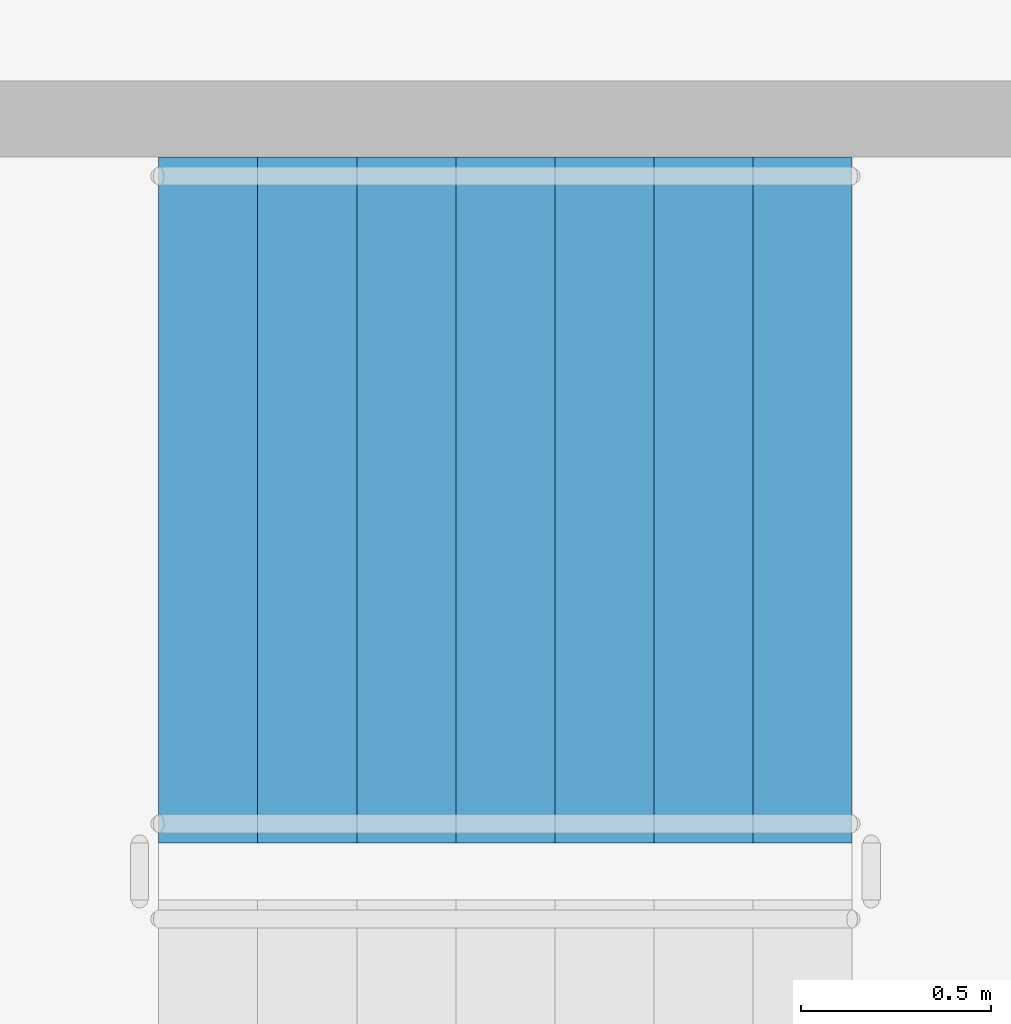
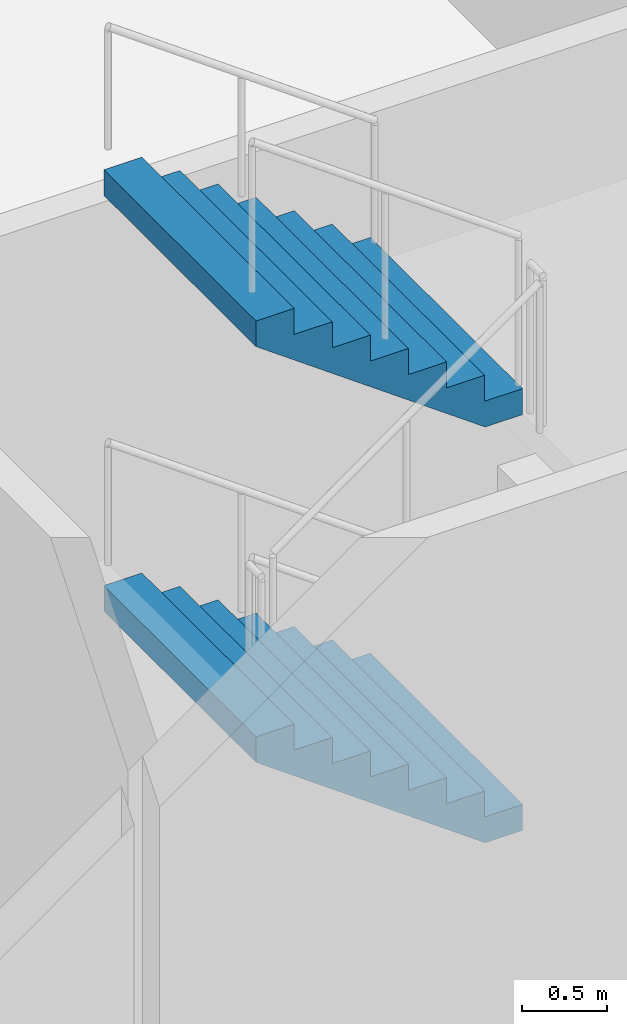
# One storey, part 50 of 75: 2 stair flights, 1 element without a shape of its own.
"""IFC4 building model written with IfcOpenShell, lengths in metres."""

from ifc_helpers import new_model, si_unit, direction, frame, origin, place, context, subcontext, project, spatial, faceted_brep, material, type_object, element, aggregate, save


model = new_model("IFC4")

# Units and contexts
model_context = context("Model", 3, precision=1e-05, world=origin(), true_north=direction((0.0, 1.0)))
body_context = subcontext(model_context, "Body", "Model", "MODEL_VIEW")
ifc_project = project(units=[si_unit("LENGTHUNIT", "METRE"), si_unit("AREAUNIT", "SQUARE_METRE"), si_unit("VOLUMEUNIT", "CUBIC_METRE"), si_unit("PLANEANGLEUNIT", "RADIAN"), si_unit("MASSUNIT", "GRAM", prefix="KILO")], contexts=[model_context])

# Site, building, storey
site_placement = place(None, origin())
site = spatial("IfcSite", under=ifc_project, at=site_placement, CompositionType="ELEMENT")
building_placement = place(site_placement, origin())
building = spatial("IfcBuilding", under=site, at=building_placement, Name="Ipe Terrace Towers", CompositionType="ELEMENT")
storey_placement = place(building_placement, origin())
storey = spatial("IfcBuildingStorey", under=building, at=storey_placement, Name="L00", CompositionType="ELEMENT", Elevation=0.0)

# Stair, stair flights
ifc_material_1 = material(Name="Concrete C30/37", Category="concrete")
stair_type = type_object("IfcStairType", Name="Protected exit stair", PredefinedType="HALF_TURN_STAIR", material=ifc_material_1)
stair_placement = place(storey_placement, origin())
stair = element("IfcStair", 1, at=stair_placement, inside=storey, type_object=stair_type, Name="L00 Podium exit stair PS5", PredefinedType="HALF_TURN_STAIR")
ifc_material_2 = material(Name="Concrete C30/37", Category="concrete")
stair_flight_type = type_object("IfcStairFlightType", Name="Exit stair flight 1800", PredefinedType="STRAIGHT", material=ifc_material_2)
stair_flight_1_placement = place(storey_placement, frame((-1.929931640625, -20.550048828125, 1.5), z_axis=(0.0, 0.0, 1.0), x_axis=(-1.0, 0.0, 0.0)))
stair_flight_1 = element("IfcStairFlight", 2, at=stair_flight_1_placement, type_object=stair_flight_type, Name="PS5 flight 2", NumberOfRisers=8, NumberOfTreads=7, PredefinedType="STRAIGHT", RiserHeight=0.1875, TreadLength=0.26, context=body_context, shape_type="Brep", body=[
    faceted_brep([(0.25634765625, -0.89990234375, 0.0), (1.820068359375, -0.89990234375, 1.127685546875), (1.820068359375, -0.89990234375, 1.3125), (1.56005859375, -0.89990234375, 1.3125), (1.56005859375, -0.89990234375, 1.125), (1.300048828125, -0.89990234375, 1.125), (1.300048828125, -0.89990234375, 0.9375), (1.0400390625, -0.89990234375, 0.9375), (1.0400390625, -0.89990234375, 0.75), (0.780029296875, -0.89990234375, 0.75), (0.780029296875, -0.89990234375, 0.5625), (0.52001953125, -0.89990234375, 0.5625), (0.52001953125, -0.89990234375, 0.375), (0.260009765625, -0.89990234375, 0.375), (0.260009765625, -0.89990234375, 0.1875), (0.0, -0.89990234375, 0.1875), (0.0, -0.89990234375, 0.0), (0.0, 0.89990234375, 0.0), (0.0, 0.89990234375, 0.1875), (0.260009765625, 0.89990234375, 0.1875), (0.260009765625, 0.89990234375, 0.375), (0.52001953125, 0.89990234375, 0.375), (0.52001953125, 0.89990234375, 0.5625), (0.780029296875, 0.89990234375, 0.5625), (0.780029296875, 0.89990234375, 0.75), (1.0400390625, 0.89990234375, 0.75), (1.0400390625, 0.89990234375, 0.9375), (1.300048828125, 0.89990234375, 0.9375), (1.300048828125, 0.89990234375, 1.125), (1.56005859375, 0.89990234375, 1.125), (1.56005859375, 0.89990234375, 1.3125), (1.820068359375, 0.89990234375, 1.3125), (1.820068359375, 0.89990234375, 1.127685546875), (0.25634765625, 0.89990234375, 0.0), (0.0, -0.300048828125, 0.1875), (0.0, -0.1201171875, 0.1875), (0.0, -0.06005859375, 0.1875), (0.0, -0.030029296875, 0.1875), (0.0, -0.010009765625, 0.1875), (0.0, 0.0, 0.1875), (0.0, 0.010009765625, 0.1875), (0.0, 0.030029296875, 0.1875), (0.0, 0.06005859375, 0.1875), (0.0, 0.1201171875, 0.1875), (0.0, 0.300048828125, 0.1875), (0.0, 0.300048828125, 0.0), (0.0, 0.1201171875, 0.0), (0.0, 0.06005859375, 0.0), (0.0, 0.030029296875, 0.0), (0.0, 0.010009765625, 0.0), (0.0, 0.0, 0.0), (0.0, -0.010009765625, 0.0), (0.0, -0.030029296875, 0.0), (0.0, -0.06005859375, 0.0), (0.0, -0.1201171875, 0.0), (0.0, -0.300048828125, 0.0), (0.260009765625, -0.300048828125, 0.1875), (0.260009765625, -0.1201171875, 0.1875), (0.260009765625, -0.06005859375, 0.1875), (0.260009765625, -0.030029296875, 0.1875), (0.260009765625, -0.010009765625, 0.1875), (0.260009765625, 0.0, 0.1875), (0.260009765625, 0.010009765625, 0.1875), (0.260009765625, 0.030029296875, 0.1875), (0.260009765625, 0.06005859375, 0.1875), (0.260009765625, 0.1201171875, 0.1875), (0.260009765625, 0.300048828125, 0.1875), (0.260009765625, -0.300048828125, 0.375), (0.260009765625, -0.1201171875, 0.375), (0.260009765625, -0.06005859375, 0.375), (0.260009765625, -0.030029296875, 0.375), (0.260009765625, -0.010009765625, 0.375), (0.260009765625, 0.0, 0.375), (0.260009765625, 0.010009765625, 0.375), (0.260009765625, 0.030029296875, 0.375), (0.260009765625, 0.06005859375, 0.375), (0.260009765625, 0.1201171875, 0.375), (0.260009765625, 0.300048828125, 0.375), (0.52001953125, -0.300048828125, 0.375), (0.52001953125, -0.1201171875, 0.375), (0.52001953125, -0.06005859375, 0.375), (0.52001953125, -0.030029296875, 0.375), (0.52001953125, -0.010009765625, 0.375), (0.52001953125, 0.0, 0.375), (0.52001953125, 0.010009765625, 0.375), (0.52001953125, 0.030029296875, 0.375), (0.52001953125, 0.06005859375, 0.375), (0.52001953125, 0.1201171875, 0.375), (0.52001953125, 0.300048828125, 0.375), (0.52001953125, -0.300048828125, 0.5625), (0.52001953125, -0.1201171875, 0.5625), (0.52001953125, -0.06005859375, 0.5625), (0.52001953125, -0.030029296875, 0.5625), (0.52001953125, -0.010009765625, 0.5625), (0.52001953125, 0.0, 0.5625), (0.52001953125, 0.010009765625, 0.5625), (0.52001953125, 0.030029296875, 0.5625), (0.52001953125, 0.06005859375, 0.5625), (0.52001953125, 0.1201171875, 0.5625), (0.52001953125, 0.300048828125, 0.5625), (0.780029296875, -0.300048828125, 0.5625), (0.780029296875, -0.1201171875, 0.5625), (0.780029296875, -0.06005859375, 0.5625), (0.780029296875, -0.030029296875, 0.5625), (0.780029296875, -0.010009765625, 0.5625), (0.780029296875, 0.0, 0.5625), (0.780029296875, 0.010009765625, 0.5625), (0.780029296875, 0.030029296875, 0.5625), (0.780029296875, 0.06005859375, 0.5625), (0.780029296875, 0.1201171875, 0.5625), (0.780029296875, 0.300048828125, 0.5625), (0.780029296875, -0.300048828125, 0.75), (0.780029296875, -0.1201171875, 0.75), (0.780029296875, -0.06005859375, 0.75), (0.780029296875, -0.030029296875, 0.75), (0.780029296875, -0.010009765625, 0.75), (0.780029296875, 0.0, 0.75), (0.780029296875, 0.010009765625, 0.75), (0.780029296875, 0.030029296875, 0.75), (0.780029296875, 0.06005859375, 0.75), (0.780029296875, 0.1201171875, 0.75), (0.780029296875, 0.300048828125, 0.75), (1.0400390625, -0.300048828125, 0.75), (1.0400390625, -0.1201171875, 0.75), (1.0400390625, -0.06005859375, 0.75), (1.0400390625, -0.030029296875, 0.75), (1.0400390625, -0.010009765625, 0.75), (1.0400390625, 0.0, 0.75), (1.0400390625, 0.010009765625, 0.75), (1.0400390625, 0.030029296875, 0.75), (1.0400390625, 0.06005859375, 0.75), (1.0400390625, 0.1201171875, 0.75), (1.0400390625, 0.300048828125, 0.75), (1.0400390625, -0.300048828125, 0.9375), (1.0400390625, -0.1201171875, 0.9375), (1.0400390625, -0.06005859375, 0.9375), (1.0400390625, -0.030029296875, 0.9375), (1.0400390625, -0.010009765625, 0.9375), (1.0400390625, 0.0, 0.9375), (1.0400390625, 0.010009765625, 0.9375), (1.0400390625, 0.030029296875, 0.9375), (1.0400390625, 0.06005859375, 0.9375), (1.0400390625, 0.1201171875, 0.9375), (1.0400390625, 0.300048828125, 0.9375), (1.300048828125, -0.300048828125, 0.9375), (1.300048828125, -0.1201171875, 0.9375), (1.300048828125, -0.06005859375, 0.9375), (1.300048828125, -0.030029296875, 0.9375), (1.300048828125, -0.010009765625, 0.9375), (1.300048828125, 0.0, 0.9375), (1.300048828125, 0.010009765625, 0.9375), (1.300048828125, 0.030029296875, 0.9375), (1.300048828125, 0.06005859375, 0.9375), (1.300048828125, 0.1201171875, 0.9375), (1.300048828125, 0.300048828125, 0.9375), (1.300048828125, -0.300048828125, 1.125), (1.300048828125, -0.1201171875, 1.125), (1.300048828125, -0.06005859375, 1.125), (1.300048828125, -0.030029296875, 1.125), (1.300048828125, -0.010009765625, 1.125), (1.300048828125, 0.0, 1.125), (1.300048828125, 0.010009765625, 1.125), (1.300048828125, 0.030029296875, 1.125), (1.300048828125, 0.06005859375, 1.125), (1.300048828125, 0.1201171875, 1.125), (1.300048828125, 0.300048828125, 1.125), (1.56005859375, -0.300048828125, 1.125), (1.56005859375, -0.1201171875, 1.125), (1.56005859375, -0.06005859375, 1.125), (1.56005859375, -0.030029296875, 1.125), (1.56005859375, -0.010009765625, 1.125), (1.56005859375, 0.0, 1.125), (1.56005859375, 0.010009765625, 1.125), (1.56005859375, 0.030029296875, 1.125), (1.56005859375, 0.06005859375, 1.125), (1.56005859375, 0.1201171875, 1.125), (1.56005859375, 0.300048828125, 1.125), (1.56005859375, -0.300048828125, 1.3125), (1.56005859375, -0.1201171875, 1.3125), (1.56005859375, -0.06005859375, 1.3125), (1.56005859375, -0.030029296875, 1.3125), (1.56005859375, -0.010009765625, 1.3125), (1.56005859375, 0.0, 1.3125), (1.56005859375, 0.010009765625, 1.3125), (1.56005859375, 0.030029296875, 1.3125), (1.56005859375, 0.06005859375, 1.3125), (1.56005859375, 0.1201171875, 1.3125), (1.56005859375, 0.300048828125, 1.3125), (1.820068359375, -0.300048828125, 1.3125), (1.820068359375, -0.1201171875, 1.3125), (1.820068359375, -0.06005859375, 1.3125), (1.820068359375, -0.030029296875, 1.3125), (1.820068359375, -0.010009765625, 1.3125), (1.820068359375, 0.0, 1.3125), (1.820068359375, 0.010009765625, 1.3125), (1.820068359375, 0.030029296875, 1.3125), (1.820068359375, 0.06005859375, 1.3125), (1.820068359375, 0.1201171875, 1.3125), (1.820068359375, 0.300048828125, 1.3125), (1.820068359375, -0.300048828125, 1.127685546875), (1.820068359375, -0.1201171875, 1.127685546875), (1.820068359375, -0.06005859375, 1.127685546875), (1.820068359375, -0.030029296875, 1.127685546875), (1.820068359375, -0.010009765625, 1.127685546875), (1.820068359375, 0.0, 1.127685546875), (1.820068359375, 0.010009765625, 1.127685546875), (1.820068359375, 0.030029296875, 1.127685546875), (1.820068359375, 0.06005859375, 1.127685546875), (1.820068359375, 0.1201171875, 1.127685546875), (1.820068359375, 0.300048828125, 1.127685546875), (0.25634765625, -0.300048828125, 0.0), (0.25634765625, -0.1201171875, 0.0), (0.25634765625, -0.06005859375, 0.0), (0.25634765625, -0.030029296875, 0.0), (0.25634765625, -0.010009765625, 0.0), (0.25634765625, 0.0, 0.0), (0.25634765625, 0.010009765625, 0.0), (0.25634765625, 0.030029296875, 0.0), (0.25634765625, 0.06005859375, 0.0), (0.25634765625, 0.1201171875, 0.0), (0.25634765625, 0.300048828125, 0.0)], [[[0, 1, 2, 3, 4, 5, 6, 7, 8, 9, 10, 11, 12, 13, 14, 15, 16]], [[17, 18, 19, 20, 21, 22, 23, 24, 25, 26, 27, 28, 29, 30, 31, 32, 33]], [[15, 34, 35, 36, 37, 38, 39, 40, 41, 42, 43, 44, 18, 17, 45, 46, 47, 48, 49, 50, 51, 52, 53, 54, 55, 16]], [[14, 56, 57, 58, 59, 60, 61, 62, 63, 64, 65, 66, 19, 18, 44, 43, 42, 41, 40, 39, 38, 37, 36, 35, 34, 15]], [[13, 67, 68, 69, 70, 71, 72, 73, 74, 75, 76, 77, 20, 19, 66, 65, 64, 63, 62, 61, 60, 59, 58, 57, 56, 14]], [[12, 78, 79, 80, 81, 82, 83, 84, 85, 86, 87, 88, 21, 20, 77, 76, 75, 74, 73, 72, 71, 70, 69, 68, 67, 13]], [[11, 89, 90, 91, 92, 93, 94, 95, 96, 97, 98, 99, 22, 21, 88, 87, 86, 85, 84, 83, 82, 81, 80, 79, 78, 12]], [[10, 100, 101, 102, 103, 104, 105, 106, 107, 108, 109, 110, 23, 22, 99, 98, 97, 96, 95, 94, 93, 92, 91, 90, 89, 11]], [[9, 111, 112, 113, 114, 115, 116, 117, 118, 119, 120, 121, 24, 23, 110, 109, 108, 107, 106, 105, 104, 103, 102, 101, 100, 10]], [[8, 122, 123, 124, 125, 126, 127, 128, 129, 130, 131, 132, 25, 24, 121, 120, 119, 118, 117, 116, 115, 114, 113, 112, 111, 9]], [[7, 133, 134, 135, 136, 137, 138, 139, 140, 141, 142, 143, 26, 25, 132, 131, 130, 129, 128, 127, 126, 125, 124, 123, 122, 8]], [[6, 144, 145, 146, 147, 148, 149, 150, 151, 152, 153, 154, 27, 26, 143, 142, 141, 140, 139, 138, 137, 136, 135, 134, 133, 7]], [[5, 155, 156, 157, 158, 159, 160, 161, 162, 163, 164, 165, 28, 27, 154, 153, 152, 151, 150, 149, 148, 147, 146, 145, 144, 6]], [[4, 166, 167, 168, 169, 170, 171, 172, 173, 174, 175, 176, 29, 28, 165, 164, 163, 162, 161, 160, 159, 158, 157, 156, 155, 5]], [[3, 177, 178, 179, 180, 181, 182, 183, 184, 185, 186, 187, 30, 29, 176, 175, 174, 173, 172, 171, 170, 169, 168, 167, 166, 4]], [[2, 188, 189, 190, 191, 192, 193, 194, 195, 196, 197, 198, 31, 30, 187, 186, 185, 184, 183, 182, 181, 180, 179, 178, 177, 3]], [[1, 199, 200, 201, 202, 203, 204, 205, 206, 207, 208, 209, 32, 31, 198, 197, 196, 195, 194, 193, 192, 191, 190, 189, 188, 2]], [[0, 210, 211, 212, 213, 214, 215, 216, 217, 218, 219, 220, 33, 32, 209, 208, 207, 206, 205, 204, 203, 202, 201, 200, 199, 1]], [[16, 55, 54, 53, 52, 51, 50, 49, 48, 47, 46, 45, 17, 33, 220, 219, 218, 217, 216, 215, 214, 213, 212, 211, 210, 0]]]),
])
stair_flight_2_placement = place(storey_placement, frame((-1.929931640625, -20.550048828125, 4.5), z_axis=(0.0, 0.0, 1.0), x_axis=(-1.0, 0.0, 0.0)))
stair_flight_2 = element("IfcStairFlight", 3, at=stair_flight_2_placement, type_object=stair_flight_type, Name="PS5 flight 4", NumberOfRisers=8, NumberOfTreads=7, PredefinedType="STRAIGHT", RiserHeight=0.1875, TreadLength=0.26, context=body_context, shape_type="Brep", body=[
    faceted_brep([(0.25634765625, -0.89990234375, 0.0), (1.820068359375, -0.89990234375, 1.127685546875), (1.820068359375, -0.89990234375, 1.3125), (1.56005859375, -0.89990234375, 1.3125), (1.56005859375, -0.89990234375, 1.125), (1.300048828125, -0.89990234375, 1.125), (1.300048828125, -0.89990234375, 0.9375), (1.0400390625, -0.89990234375, 0.9375), (1.0400390625, -0.89990234375, 0.75), (0.780029296875, -0.89990234375, 0.75), (0.780029296875, -0.89990234375, 0.5625), (0.52001953125, -0.89990234375, 0.5625), (0.52001953125, -0.89990234375, 0.375), (0.260009765625, -0.89990234375, 0.375), (0.260009765625, -0.89990234375, 0.1875), (0.0, -0.89990234375, 0.1875), (0.0, -0.89990234375, 0.0), (0.0, 0.89990234375, 0.0), (0.0, 0.89990234375, 0.1875), (0.260009765625, 0.89990234375, 0.1875), (0.260009765625, 0.89990234375, 0.375), (0.52001953125, 0.89990234375, 0.375), (0.52001953125, 0.89990234375, 0.5625), (0.780029296875, 0.89990234375, 0.5625), (0.780029296875, 0.89990234375, 0.75), (1.0400390625, 0.89990234375, 0.75), (1.0400390625, 0.89990234375, 0.9375), (1.300048828125, 0.89990234375, 0.9375), (1.300048828125, 0.89990234375, 1.125), (1.56005859375, 0.89990234375, 1.125), (1.56005859375, 0.89990234375, 1.3125), (1.820068359375, 0.89990234375, 1.3125), (1.820068359375, 0.89990234375, 1.127685546875), (0.25634765625, 0.89990234375, 0.0), (0.0, -0.300048828125, 0.1875), (0.0, -0.1201171875, 0.1875), (0.0, -0.06005859375, 0.1875), (0.0, -0.030029296875, 0.1875), (0.0, -0.010009765625, 0.1875), (0.0, 0.0, 0.1875), (0.0, 0.010009765625, 0.1875), (0.0, 0.030029296875, 0.1875), (0.0, 0.06005859375, 0.1875), (0.0, 0.1201171875, 0.1875), (0.0, 0.300048828125, 0.1875), (0.0, 0.300048828125, 0.0), (0.0, 0.1201171875, 0.0), (0.0, 0.06005859375, 0.0), (0.0, 0.030029296875, 0.0), (0.0, 0.010009765625, 0.0), (0.0, 0.0, 0.0), (0.0, -0.010009765625, 0.0), (0.0, -0.030029296875, 0.0), (0.0, -0.06005859375, 0.0), (0.0, -0.1201171875, 0.0), (0.0, -0.300048828125, 0.0), (0.260009765625, -0.300048828125, 0.1875), (0.260009765625, -0.1201171875, 0.1875), (0.260009765625, -0.06005859375, 0.1875), (0.260009765625, -0.030029296875, 0.1875), (0.260009765625, -0.010009765625, 0.1875), (0.260009765625, 0.0, 0.1875), (0.260009765625, 0.010009765625, 0.1875), (0.260009765625, 0.030029296875, 0.1875), (0.260009765625, 0.06005859375, 0.1875), (0.260009765625, 0.1201171875, 0.1875), (0.260009765625, 0.300048828125, 0.1875), (0.260009765625, -0.300048828125, 0.375), (0.260009765625, -0.1201171875, 0.375), (0.260009765625, -0.06005859375, 0.375), (0.260009765625, -0.030029296875, 0.375), (0.260009765625, -0.010009765625, 0.375), (0.260009765625, 0.0, 0.375), (0.260009765625, 0.010009765625, 0.375), (0.260009765625, 0.030029296875, 0.375), (0.260009765625, 0.06005859375, 0.375), (0.260009765625, 0.1201171875, 0.375), (0.260009765625, 0.300048828125, 0.375), (0.52001953125, -0.300048828125, 0.375), (0.52001953125, -0.1201171875, 0.375), (0.52001953125, -0.06005859375, 0.375), (0.52001953125, -0.030029296875, 0.375), (0.52001953125, -0.010009765625, 0.375), (0.52001953125, 0.0, 0.375), (0.52001953125, 0.010009765625, 0.375), (0.52001953125, 0.030029296875, 0.375), (0.52001953125, 0.06005859375, 0.375), (0.52001953125, 0.1201171875, 0.375), (0.52001953125, 0.300048828125, 0.375), (0.52001953125, -0.300048828125, 0.5625), (0.52001953125, -0.1201171875, 0.5625), (0.52001953125, -0.06005859375, 0.5625), (0.52001953125, -0.030029296875, 0.5625), (0.52001953125, -0.010009765625, 0.5625), (0.52001953125, 0.0, 0.5625), (0.52001953125, 0.010009765625, 0.5625), (0.52001953125, 0.030029296875, 0.5625), (0.52001953125, 0.06005859375, 0.5625), (0.52001953125, 0.1201171875, 0.5625), (0.52001953125, 0.300048828125, 0.5625), (0.780029296875, -0.300048828125, 0.5625), (0.780029296875, -0.1201171875, 0.5625), (0.780029296875, -0.06005859375, 0.5625), (0.780029296875, -0.030029296875, 0.5625), (0.780029296875, -0.010009765625, 0.5625), (0.780029296875, 0.0, 0.5625), (0.780029296875, 0.010009765625, 0.5625), (0.780029296875, 0.030029296875, 0.5625), (0.780029296875, 0.06005859375, 0.5625), (0.780029296875, 0.1201171875, 0.5625), (0.780029296875, 0.300048828125, 0.5625), (0.780029296875, -0.300048828125, 0.75), (0.780029296875, -0.1201171875, 0.75), (0.780029296875, -0.06005859375, 0.75), (0.780029296875, -0.030029296875, 0.75), (0.780029296875, -0.010009765625, 0.75), (0.780029296875, 0.0, 0.75), (0.780029296875, 0.010009765625, 0.75), (0.780029296875, 0.030029296875, 0.75), (0.780029296875, 0.06005859375, 0.75), (0.780029296875, 0.1201171875, 0.75), (0.780029296875, 0.300048828125, 0.75), (1.0400390625, -0.300048828125, 0.75), (1.0400390625, -0.1201171875, 0.75), (1.0400390625, -0.06005859375, 0.75), (1.0400390625, -0.030029296875, 0.75), (1.0400390625, -0.010009765625, 0.75), (1.0400390625, 0.0, 0.75), (1.0400390625, 0.010009765625, 0.75), (1.0400390625, 0.030029296875, 0.75), (1.0400390625, 0.06005859375, 0.75), (1.0400390625, 0.1201171875, 0.75), (1.0400390625, 0.300048828125, 0.75), (1.0400390625, -0.300048828125, 0.9375), (1.0400390625, -0.1201171875, 0.9375), (1.0400390625, -0.06005859375, 0.9375), (1.0400390625, -0.030029296875, 0.9375), (1.0400390625, -0.010009765625, 0.9375), (1.0400390625, 0.0, 0.9375), (1.0400390625, 0.010009765625, 0.9375), (1.0400390625, 0.030029296875, 0.9375), (1.0400390625, 0.06005859375, 0.9375), (1.0400390625, 0.1201171875, 0.9375), (1.0400390625, 0.300048828125, 0.9375), (1.300048828125, -0.300048828125, 0.9375), (1.300048828125, -0.1201171875, 0.9375), (1.300048828125, -0.06005859375, 0.9375), (1.300048828125, -0.030029296875, 0.9375), (1.300048828125, -0.010009765625, 0.9375), (1.300048828125, 0.0, 0.9375), (1.300048828125, 0.010009765625, 0.9375), (1.300048828125, 0.030029296875, 0.9375), (1.300048828125, 0.06005859375, 0.9375), (1.300048828125, 0.1201171875, 0.9375), (1.300048828125, 0.300048828125, 0.9375), (1.300048828125, -0.300048828125, 1.125), (1.300048828125, -0.1201171875, 1.125), (1.300048828125, -0.06005859375, 1.125), (1.300048828125, -0.030029296875, 1.125), (1.300048828125, -0.010009765625, 1.125), (1.300048828125, 0.0, 1.125), (1.300048828125, 0.010009765625, 1.125), (1.300048828125, 0.030029296875, 1.125), (1.300048828125, 0.06005859375, 1.125), (1.300048828125, 0.1201171875, 1.125), (1.300048828125, 0.300048828125, 1.125), (1.56005859375, -0.300048828125, 1.125), (1.56005859375, -0.1201171875, 1.125), (1.56005859375, -0.06005859375, 1.125), (1.56005859375, -0.030029296875, 1.125), (1.56005859375, -0.010009765625, 1.125), (1.56005859375, 0.0, 1.125), (1.56005859375, 0.010009765625, 1.125), (1.56005859375, 0.030029296875, 1.125), (1.56005859375, 0.06005859375, 1.125), (1.56005859375, 0.1201171875, 1.125), (1.56005859375, 0.300048828125, 1.125), (1.56005859375, -0.300048828125, 1.3125), (1.56005859375, -0.1201171875, 1.3125), (1.56005859375, -0.06005859375, 1.3125), (1.56005859375, -0.030029296875, 1.3125), (1.56005859375, -0.010009765625, 1.3125), (1.56005859375, 0.0, 1.3125), (1.56005859375, 0.010009765625, 1.3125), (1.56005859375, 0.030029296875, 1.3125), (1.56005859375, 0.06005859375, 1.3125), (1.56005859375, 0.1201171875, 1.3125), (1.56005859375, 0.300048828125, 1.3125), (1.820068359375, -0.300048828125, 1.3125), (1.820068359375, -0.1201171875, 1.3125), (1.820068359375, -0.06005859375, 1.3125), (1.820068359375, -0.030029296875, 1.3125), (1.820068359375, -0.010009765625, 1.3125), (1.820068359375, 0.0, 1.3125), (1.820068359375, 0.010009765625, 1.3125), (1.820068359375, 0.030029296875, 1.3125), (1.820068359375, 0.06005859375, 1.3125), (1.820068359375, 0.1201171875, 1.3125), (1.820068359375, 0.300048828125, 1.3125), (1.820068359375, -0.300048828125, 1.127685546875), (1.820068359375, -0.1201171875, 1.127685546875), (1.820068359375, -0.06005859375, 1.127685546875), (1.820068359375, -0.030029296875, 1.127685546875), (1.820068359375, -0.010009765625, 1.127685546875), (1.820068359375, 0.0, 1.127685546875), (1.820068359375, 0.010009765625, 1.127685546875), (1.820068359375, 0.030029296875, 1.127685546875), (1.820068359375, 0.06005859375, 1.127685546875), (1.820068359375, 0.1201171875, 1.127685546875), (1.820068359375, 0.300048828125, 1.127685546875), (0.25634765625, -0.300048828125, 0.0), (0.25634765625, -0.1201171875, 0.0), (0.25634765625, -0.06005859375, 0.0), (0.25634765625, -0.030029296875, 0.0), (0.25634765625, -0.010009765625, 0.0), (0.25634765625, 0.0, 0.0), (0.25634765625, 0.010009765625, 0.0), (0.25634765625, 0.030029296875, 0.0), (0.25634765625, 0.06005859375, 0.0), (0.25634765625, 0.1201171875, 0.0), (0.25634765625, 0.300048828125, 0.0)], [[[0, 1, 2, 3, 4, 5, 6, 7, 8, 9, 10, 11, 12, 13, 14, 15, 16]], [[17, 18, 19, 20, 21, 22, 23, 24, 25, 26, 27, 28, 29, 30, 31, 32, 33]], [[15, 34, 35, 36, 37, 38, 39, 40, 41, 42, 43, 44, 18, 17, 45, 46, 47, 48, 49, 50, 51, 52, 53, 54, 55, 16]], [[14, 56, 57, 58, 59, 60, 61, 62, 63, 64, 65, 66, 19, 18, 44, 43, 42, 41, 40, 39, 38, 37, 36, 35, 34, 15]], [[13, 67, 68, 69, 70, 71, 72, 73, 74, 75, 76, 77, 20, 19, 66, 65, 64, 63, 62, 61, 60, 59, 58, 57, 56, 14]], [[12, 78, 79, 80, 81, 82, 83, 84, 85, 86, 87, 88, 21, 20, 77, 76, 75, 74, 73, 72, 71, 70, 69, 68, 67, 13]], [[11, 89, 90, 91, 92, 93, 94, 95, 96, 97, 98, 99, 22, 21, 88, 87, 86, 85, 84, 83, 82, 81, 80, 79, 78, 12]], [[10, 100, 101, 102, 103, 104, 105, 106, 107, 108, 109, 110, 23, 22, 99, 98, 97, 96, 95, 94, 93, 92, 91, 90, 89, 11]], [[9, 111, 112, 113, 114, 115, 116, 117, 118, 119, 120, 121, 24, 23, 110, 109, 108, 107, 106, 105, 104, 103, 102, 101, 100, 10]], [[8, 122, 123, 124, 125, 126, 127, 128, 129, 130, 131, 132, 25, 24, 121, 120, 119, 118, 117, 116, 115, 114, 113, 112, 111, 9]], [[7, 133, 134, 135, 136, 137, 138, 139, 140, 141, 142, 143, 26, 25, 132, 131, 130, 129, 128, 127, 126, 125, 124, 123, 122, 8]], [[6, 144, 145, 146, 147, 148, 149, 150, 151, 152, 153, 154, 27, 26, 143, 142, 141, 140, 139, 138, 137, 136, 135, 134, 133, 7]], [[5, 155, 156, 157, 158, 159, 160, 161, 162, 163, 164, 165, 28, 27, 154, 153, 152, 151, 150, 149, 148, 147, 146, 145, 144, 6]], [[4, 166, 167, 168, 169, 170, 171, 172, 173, 174, 175, 176, 29, 28, 165, 164, 163, 162, 161, 160, 159, 158, 157, 156, 155, 5]], [[3, 177, 178, 179, 180, 181, 182, 183, 184, 185, 186, 187, 30, 29, 176, 175, 174, 173, 172, 171, 170, 169, 168, 167, 166, 4]], [[2, 188, 189, 190, 191, 192, 193, 194, 195, 196, 197, 198, 31, 30, 187, 186, 185, 184, 183, 182, 181, 180, 179, 178, 177, 3]], [[1, 199, 200, 201, 202, 203, 204, 205, 206, 207, 208, 209, 32, 31, 198, 197, 196, 195, 194, 193, 192, 191, 190, 189, 188, 2]], [[0, 210, 211, 212, 213, 214, 215, 216, 217, 218, 219, 220, 33, 32, 209, 208, 207, 206, 205, 204, 203, 202, 201, 200, 199, 1]], [[16, 55, 54, 53, 52, 51, 50, 49, 48, 47, 46, 45, 17, 33, 220, 219, 218, 217, 216, 215, 214, 213, 212, 211, 210, 0]]]),
])
aggregate(stair, [stair_flight_1, stair_flight_2])

save(model, "model.ifc")
